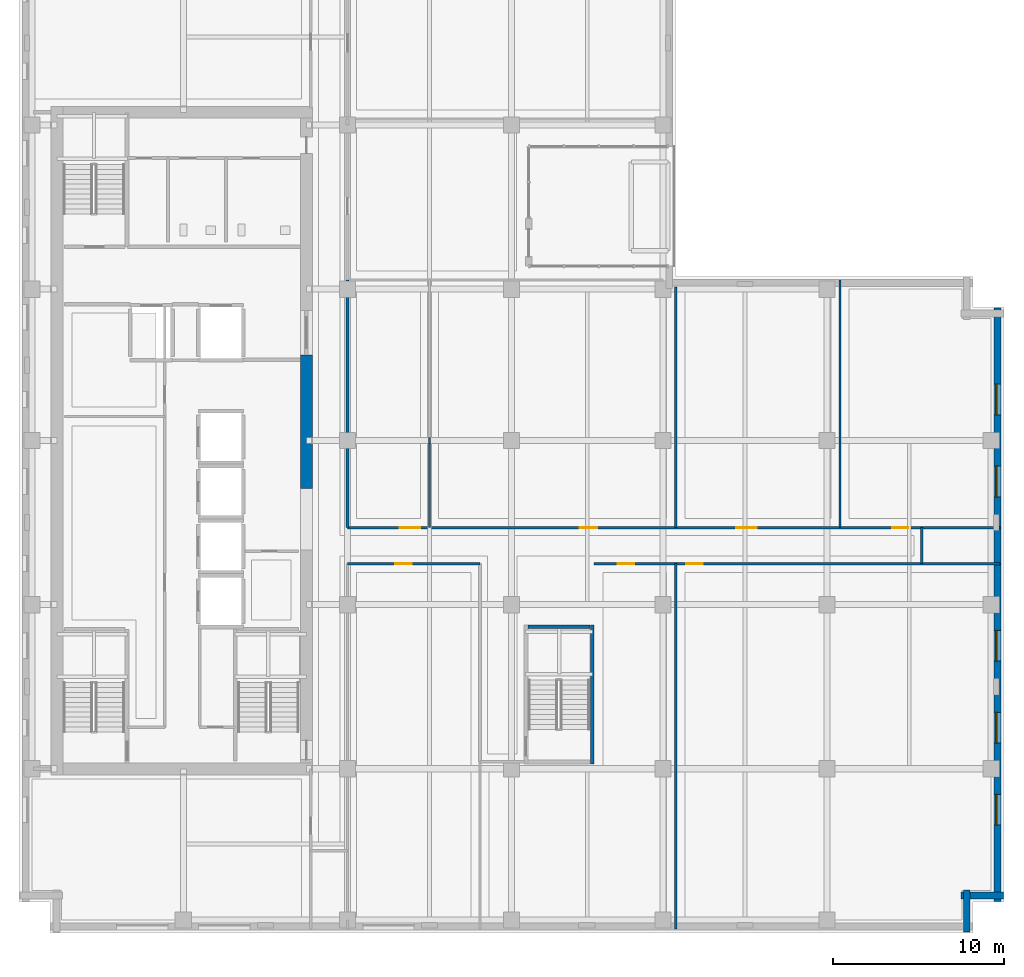
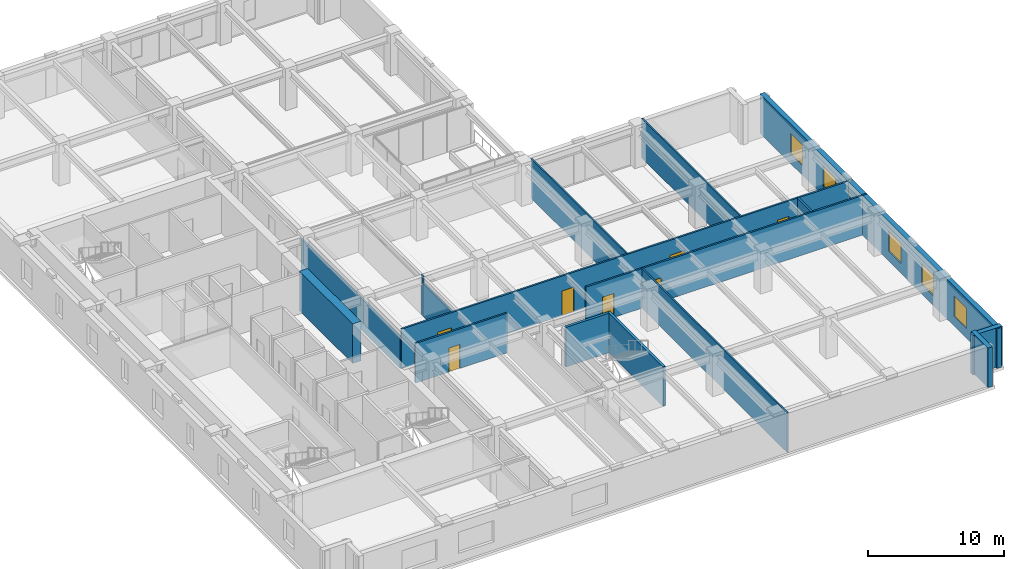
# One storey, part 5 of 16: 16 walls, 7 doors, 5 windows, 12 openings.
"""IFC4 building model written with IfcOpenShell, lengths in metres."""

from ifc_helpers import new_model, si_unit, direction, frame, frame_2d, origin, place, context, subcontext, project, spatial, rectangle, extrude, material, layer, layer_set, type_object, element, fill, save


model = new_model("IFC4")

# Units and contexts
model_context = context("Model", 3, precision=1e-05, world=origin(), true_north=direction((0.0, 1.0)))
body_context = subcontext(model_context, "Body", "Model", "MODEL_VIEW")
ifc_project = project(units=[si_unit("LENGTHUNIT", "METRE"), si_unit("AREAUNIT", "SQUARE_METRE"), si_unit("VOLUMEUNIT", "CUBIC_METRE"), si_unit("PLANEANGLEUNIT", "RADIAN"), si_unit("MASSUNIT", "GRAM", prefix="KILO")], contexts=[model_context])

# Site, building, storey
site_placement = place(None, origin())
site = spatial("IfcSite", under=ifc_project, at=site_placement, CompositionType="ELEMENT")
building_placement = place(site_placement, origin())
building = spatial("IfcBuilding", under=site, at=building_placement, Name="Norrvale University Quadrangle", CompositionType="ELEMENT")
storey_placement = place(building_placement, frame((0.0, 0.0, 167.39990234375)))
storey = spatial("IfcBuildingStorey", under=building, at=storey_placement, Name="L42", CompositionType="ELEMENT", Elevation=167.39990234375)

# Walls
ifc_material_1 = material(Name="Concrete C60/75", Category="concrete")
ifc_layer_1 = layer(ifc_material_1, 0.699951171875, Name="Concrete C60/75")
ifc_layer_set_1 = layer_set([ifc_layer_1], Name="Concrete C60/75")
wall_type_1 = type_object("IfcWallType", Name="Wall Core 700", PredefinedType="SHEAR", material=ifc_layer_set_1)
wall_1_placement = place(storey_placement, frame((16.800048828125, 26.0, 0.0), z_axis=(0.0, 0.0, 1.0), x_axis=(0.0, 1.0, 0.0)))
element("IfcWall", 1, at=wall_1_placement, inside=storey, type_object=wall_type_1, Name="Tower Core Shear Wall L42-E2", PredefinedType="SHEAR", context=body_context, shape_type="SweptSolid", body=[
    extrude(rectangle(XDim=7.800048828125, YDim=0.699951171875, at=frame_2d((3.89990234375, 0.0))), origin(), (0.0, 0.0, 1.0), 3.5400390625),
])
ifc_material_2 = material(Name="Standard Academic Gypsum Partition")
ifc_layer_2 = layer(ifc_material_2, 0.125, Name="Standard Academic Gypsum Partition")
ifc_layer_set_2 = layer_set([ifc_layer_2], Name="Standard Academic Gypsum Partition")
wall_type_2 = type_object("IfcWallType", Name="Wall Gypsum Academic 125", PredefinedType="PARTITIONING", material=ifc_layer_set_2)
wall_2_placement = place(storey_placement, frame((38.39990234375, 0.219970703125, 0.0), z_axis=(0.0, 0.0, 1.0), x_axis=(0.0, 1.0, 0.0)))
element("IfcWall", 2, at=wall_2_placement, inside=storey, type_object=wall_type_2, Name="Interior Partition WL-L42-SEP2", PredefinedType="PARTITIONING", context=body_context, shape_type="SweptSolid", body=[
    extrude(rectangle(XDim=21.380126953125, YDim=0.125, at=frame_2d((10.68994140625, 0.0))), origin(), (0.0, 0.0, 1.0), 3.5400390625),
])
wall_3_placement = place(storey_placement, frame((24.0, 23.699951171875, 0.0), z_axis=(0.0, 0.0, 1.0), x_axis=(0.0, 1.0, 0.0)))
element("IfcWall", 3, at=wall_3_placement, inside=storey, type_object=wall_type_2, Name="Interior Partition WL-L42-MEP01", PredefinedType="PARTITIONING", context=body_context, shape_type="SweptSolid", body=[
    extrude(rectangle(XDim=4.922607421875, YDim=0.125, at=frame_2d((2.46142578125, 0.0))), origin(), (0.0, 0.0, 1.0), 2.99609375),
])
wall_4_placement = place(storey_placement, frame((24.0, 28.62255859375, 0.0), z_axis=(0.0, 0.0, 1.0), x_axis=(0.0, 1.0, 0.0)))
element("IfcWall", 4, at=wall_4_placement, inside=storey, type_object=wall_type_2, Name="Interior Partition WL-L42-MEP01-B2", PredefinedType="PARTITIONING", context=body_context, shape_type="SweptSolid", body=[
    extrude(rectangle(XDim=0.35498046875, YDim=0.125, at=frame_2d((0.177490234375, 0.0))), origin(), (0.0, 0.0, 1.0), 3.5400390625),
])
wall_5_placement = place(storey_placement, frame((38.39990234375, 23.699951171875, 0.0), z_axis=(0.0, 0.0, 1.0), x_axis=(0.0, 1.0, 0.0)))
element("IfcWall", 5, at=wall_5_placement, inside=storey, type_object=wall_type_2, Name="Interior Partition WL-L42-MEP02", PredefinedType="PARTITIONING", context=body_context, shape_type="SweptSolid", body=[
    extrude(rectangle(XDim=14.090087890625, YDim=0.125, at=frame_2d((7.044921875, 0.0))), origin(), (0.0, 0.0, 1.0), 3.5400390625),
])
wall_6_placement = place(storey_placement, frame((48.0, 23.699951171875, 0.0), z_axis=(0.0, 0.0, 1.0), x_axis=(0.0, 1.0, 0.0)))
element("IfcWall", 6, at=wall_6_placement, inside=storey, type_object=wall_type_2, Name="Interior Partition WL-L42-MEP03", PredefinedType="PARTITIONING", context=body_context, shape_type="SweptSolid", body=[
    extrude(rectangle(XDim=14.47998046875, YDim=0.125, at=frame_2d((7.239990234375, 0.0))), origin(), (0.0, 0.0, 1.0), 3.5400390625),
])
ifc_material_3 = material(Name="Fire-Rated Gypsum Stud Partition")
ifc_layer_3 = layer(ifc_material_3, 0.14990234375, Name="Fire-Rated Gypsum Stud Partition")
ifc_layer_set_3 = layer_set([ifc_layer_3], Name="Fire-Rated Gypsum Stud Partition")
wall_type_3 = type_object("IfcWallType", Name="Wall Gypsum Corridor 150", PredefinedType="PARTITIONING", material=ifc_layer_set_3)
wall_7_placement = place(storey_placement, frame((52.800048828125, 21.60009765625, 0.0), z_axis=(0.0, 0.0, 1.0), x_axis=(0.0, 1.0, 0.0)))
element("IfcWall", 7, at=wall_7_placement, inside=storey, type_object=wall_type_3, Name="Interior Partition WL-L42-CESP-E", PredefinedType="PARTITIONING", context=body_context, shape_type="SweptSolid", body=[
    extrude(rectangle(XDim=2.099853515625, YDim=0.14990234375, at=frame_2d((1.0498046875, 0.0))), origin(), (0.0, 0.0, 1.0), 3.5400390625),
])

# Wall, opening, door
wall_8_placement = place(storey_placement, frame((19.199951171875, 21.60009765625, 0.0), z_axis=(0.0, 0.0, 1.0), x_axis=(1.0, 0.0, 0.0)))
wall_8 = element("IfcWall", 8, at=wall_8_placement, inside=storey, type_object=wall_type_3, Name="Interior Partition WL-L42-SEW1", PredefinedType="PARTITIONING", context=body_context, shape_type="SweptSolid", body=[
    extrude(rectangle(XDim=7.75, YDim=0.14990234375, at=frame_2d((3.875, 0.0))), origin(), (0.0, 0.0, 1.0), 3.5400390625),
])
opening_1_placement = place(wall_8_placement, frame((2.800048828125, 0.0, 0.0)))
opening_1 = element("IfcOpeningElement", 9, at=opening_1_placement, cuts=wall_8, Name="Opening D07", PredefinedType="OPENING", context=body_context, shape_type="SweptSolid", body=[
    extrude(rectangle(XDim=0.949951171875, YDim=2.14990234375, at=frame_2d((0.47509765625, 1.074951171875))), frame((0.0, 0.0869140625, 0.0), z_axis=(0.0, -1.0, 0.0), x_axis=(1.0, 0.0, 0.0)), (0.0, 0.0, 1.0), 0.173828125),
])
ifc_material_4 = material(Name="Solid-Core Maple Door", Category="wood")
door_type_1 = type_object("IfcDoorType", Name="Door Office 950x2150", OperationType="NOTDEFINED", PredefinedType="DOOR", material=ifc_material_4)
door_1_placement = place(opening_1_placement, origin())
door_1 = element("IfcDoor", 10, at=door_1_placement, inside=storey, type_object=door_type_1, Name="Door Office 950x2150 DR-L42-SE1", OperationType="SINGLE_SWING_LEFT", OverallHeight=2.14990234375, OverallWidth=0.949951171875, PredefinedType="DOOR", context=body_context, shape_type="SweptSolid", body=[
    extrude(rectangle(XDim=0.949951171875, YDim=2.14990234375, at=frame_2d((0.47509765625, 1.074951171875))), frame((0.0, 0.02490234375, 0.0), z_axis=(0.0, -1.0, 0.0), x_axis=(1.0, 0.0, 0.0)), (0.0, 0.0, 1.0), 0.050048828125),
])
fill(opening_1, door_1)

# Wall, openings, doors
wall_9_placement = place(storey_placement, frame((33.6201171875, 21.60009765625, 0.0), z_axis=(0.0, 0.0, 1.0), x_axis=(1.0, 0.0, 0.0)))
wall_9 = element("IfcWall", 11, at=wall_9_placement, inside=storey, type_object=wall_type_3, Name="Interior Partition WL-L42-SEW2", PredefinedType="PARTITIONING", context=body_context, shape_type="SweptSolid", body=[
    extrude(rectangle(XDim=23.759765625, YDim=0.14990234375, at=frame_2d((11.8798828125, 0.0))), origin(), (0.0, 0.0, 1.0), 3.5400390625),
])
opening_2_placement = place(wall_9_placement, frame((1.39990234375, 0.0, 0.0)))
opening_2 = element("IfcOpeningElement", 12, at=opening_2_placement, cuts=wall_9, Name="Opening D07", PredefinedType="OPENING", context=body_context, shape_type="SweptSolid", body=[
    extrude(rectangle(XDim=0.949951171875, YDim=2.14990234375, at=frame_2d((0.47509765625, 1.074951171875))), frame((0.0, 0.0869140625, 0.0), z_axis=(0.0, -1.0, 0.0), x_axis=(1.0, 0.0, 0.0)), (0.0, 0.0, 1.0), 0.173828125),
])
opening_3_placement = place(wall_9_placement, frame((5.39990234375, 0.0, 0.0)))
opening_3 = element("IfcOpeningElement", 13, at=opening_3_placement, cuts=wall_9, Name="Opening D07", PredefinedType="OPENING", context=body_context, shape_type="SweptSolid", body=[
    extrude(rectangle(XDim=0.949951171875, YDim=2.14990234375, at=frame_2d((0.47509765625, 1.074951171875))), frame((0.0, 0.0869140625, 0.0), z_axis=(0.0, -1.0, 0.0), x_axis=(1.0, 0.0, 0.0)), (0.0, 0.0, 1.0), 0.173828125),
])
door_2_placement = place(opening_2_placement, origin())
door_2 = element("IfcDoor", 14, at=door_2_placement, inside=storey, type_object=door_type_1, Name="Door Office 950x2150 DR-L42-SE2", OperationType="SINGLE_SWING_RIGHT", OverallHeight=2.14990234375, OverallWidth=0.949951171875, PredefinedType="DOOR", context=body_context, shape_type="SweptSolid", body=[
    extrude(rectangle(XDim=0.949951171875, YDim=2.14990234375, at=frame_2d((0.47509765625, 1.074951171875))), frame((0.0, 0.02490234375, 0.0), z_axis=(0.0, -1.0, 0.0), x_axis=(1.0, 0.0, 0.0)), (0.0, 0.0, 1.0), 0.050048828125),
])
fill(opening_2, door_2)
door_3_placement = place(opening_3_placement, origin())
door_3 = element("IfcDoor", 15, at=door_3_placement, inside=storey, type_object=door_type_1, Name="Door Office 950x2150 DR-L42-SE3", OperationType="SINGLE_SWING_LEFT", OverallHeight=2.14990234375, OverallWidth=0.949951171875, PredefinedType="DOOR", context=body_context, shape_type="SweptSolid", body=[
    extrude(rectangle(XDim=0.949951171875, YDim=2.14990234375, at=frame_2d((0.47509765625, 1.074951171875))), frame((0.0, 0.02490234375, 0.0), z_axis=(0.0, -1.0, 0.0), x_axis=(1.0, 0.0, 0.0)), (0.0, 0.0, 1.0), 0.050048828125),
])
fill(opening_3, door_3)

wall_10_placement = place(storey_placement, frame((19.199951171875, 23.699951171875, 0.0), z_axis=(0.0, 0.0, 1.0), x_axis=(1.0, 0.0, 0.0)))
wall_10 = element("IfcWall", 16, at=wall_10_placement, inside=storey, type_object=wall_type_3, Name="Interior Partition WL-L42-MECW", PredefinedType="PARTITIONING", context=body_context, shape_type="SweptSolid", body=[
    extrude(rectangle(XDim=38.179931640625, YDim=0.14990234375, at=frame_2d((19.08984375, 0.0))), origin(), (0.0, 0.0, 1.0), 3.5400390625),
])
opening_4_placement = place(wall_10_placement, frame((3.050048828125, 0.0, 0.0)))
opening_4 = element("IfcOpeningElement", 17, at=opening_4_placement, cuts=wall_10, Name="Opening D05", PredefinedType="OPENING", context=body_context, shape_type="SweptSolid", body=[
    extrude(rectangle(XDim=1.199951171875, YDim=2.199951171875, at=frame_2d((0.60009765625, 1.10009765625))), frame((0.0, 0.0869140625, 0.0), z_axis=(0.0, -1.0, 0.0), x_axis=(1.0, 0.0, 0.0)), (0.0, 0.0, 1.0), 0.173828125),
])
opening_5_placement = place(wall_10_placement, frame((13.60009765625, 0.0, 0.0)))
opening_5 = element("IfcOpeningElement", 18, at=opening_5_placement, cuts=wall_10, Name="Opening D04", PredefinedType="OPENING", context=body_context, shape_type="SweptSolid", body=[
    extrude(rectangle(XDim=1.0, YDim=2.199951171875, at=frame_2d((0.5, 1.10009765625))), frame((0.0, 0.0869140625, 0.0), z_axis=(0.0, -1.0, 0.0), x_axis=(1.0, 0.0, 0.0)), (0.0, 0.0, 1.0), 0.173828125),
])
opening_6_placement = place(wall_10_placement, frame((22.75, 0.0, 0.0)))
opening_6 = element("IfcOpeningElement", 19, at=opening_6_placement, cuts=wall_10, Name="Opening D05", PredefinedType="OPENING", context=body_context, shape_type="SweptSolid", body=[
    extrude(rectangle(XDim=1.199951171875, YDim=2.199951171875, at=frame_2d((0.60009765625, 1.10009765625))), frame((0.0, 0.0869140625, 0.0), z_axis=(0.0, -1.0, 0.0), x_axis=(1.0, 0.0, 0.0)), (0.0, 0.0, 1.0), 0.173828125),
])
opening_7_placement = place(wall_10_placement, frame((31.85009765625, 0.0, 0.0)))
opening_7 = element("IfcOpeningElement", 20, at=opening_7_placement, cuts=wall_10, Name="Opening D07", PredefinedType="OPENING", context=body_context, shape_type="SweptSolid", body=[
    extrude(rectangle(XDim=0.949951171875, YDim=2.14990234375, at=frame_2d((0.47509765625, 1.074951171875))), frame((0.0, 0.0869140625, 0.0), z_axis=(0.0, -1.0, 0.0), x_axis=(1.0, 0.0, 0.0)), (0.0, 0.0, 1.0), 0.173828125),
])
ifc_material_5 = material(Name="Acoustic Oak Classroom Door", Category="wood")
door_type_2 = type_object("IfcDoorType", Name="Door Classroom 1200x2200", OperationType="NOTDEFINED", PredefinedType="DOOR", material=ifc_material_5)
door_4_placement = place(opening_4_placement, origin())
door_4 = element("IfcDoor", 21, at=door_4_placement, inside=storey, type_object=door_type_2, Name="Door Classroom 1200x2200 DR-L42-ME01", OperationType="SINGLE_SWING_LEFT", OverallHeight=2.199951171875, OverallWidth=1.199951171875, PredefinedType="DOOR", context=body_context, shape_type="SweptSolid", body=[
    extrude(rectangle(XDim=1.199951171875, YDim=2.199951171875, at=frame_2d((0.60009765625, 1.10009765625))), frame((0.0, 0.02490234375, 0.0), z_axis=(0.0, -1.0, 0.0), x_axis=(1.0, 0.0, 0.0)), (0.0, 0.0, 1.0), 0.050048828125),
])
fill(opening_4, door_4)
door_5_placement = place(opening_6_placement, origin())
door_5 = element("IfcDoor", 22, at=door_5_placement, inside=storey, type_object=door_type_2, Name="Door Classroom 1200x2200 DR-L42-ME03", OperationType="SINGLE_SWING_LEFT", OverallHeight=2.199951171875, OverallWidth=1.199951171875, PredefinedType="DOOR", context=body_context, shape_type="SweptSolid", body=[
    extrude(rectangle(XDim=1.199951171875, YDim=2.199951171875, at=frame_2d((0.60009765625, 1.10009765625))), frame((0.0, 0.02490234375, 0.0), z_axis=(0.0, -1.0, 0.0), x_axis=(1.0, 0.0, 0.0)), (0.0, 0.0, 1.0), 0.050048828125),
])
fill(opening_6, door_5)
ifc_material_6 = material(Name="Solid-Core Oak Fire Door", Category="wood")
door_type_3 = type_object("IfcDoorType", Name="Door Corridor 1000x2200", OperationType="NOTDEFINED", PredefinedType="DOOR", material=ifc_material_6)
door_6_placement = place(opening_5_placement, origin())
door_6 = element("IfcDoor", 23, at=door_6_placement, inside=storey, type_object=door_type_3, Name="Door Corridor 1000x2200 DR-L42-ME02", OperationType="SINGLE_SWING_RIGHT", OverallHeight=2.199951171875, OverallWidth=1.0, PredefinedType="DOOR", context=body_context, shape_type="SweptSolid", body=[
    extrude(rectangle(XDim=1.0, YDim=2.199951171875, at=frame_2d((0.5, 1.10009765625))), frame((0.0, 0.02490234375, 0.0), z_axis=(0.0, -1.0, 0.0), x_axis=(1.0, 0.0, 0.0)), (0.0, 0.0, 1.0), 0.050048828125),
])
fill(opening_5, door_6)
door_7_placement = place(opening_7_placement, origin())
door_7 = element("IfcDoor", 24, at=door_7_placement, inside=storey, type_object=door_type_1, Name="Door Office 950x2150 DR-L42-ME04", OperationType="SINGLE_SWING_RIGHT", OverallHeight=2.14990234375, OverallWidth=0.949951171875, PredefinedType="DOOR", context=body_context, shape_type="SweptSolid", body=[
    extrude(rectangle(XDim=0.949951171875, YDim=2.14990234375, at=frame_2d((0.47509765625, 1.074951171875))), frame((0.0, 0.02490234375, 0.0), z_axis=(0.0, -1.0, 0.0), x_axis=(1.0, 0.0, 0.0)), (0.0, 0.0, 1.0), 0.050048828125),
])
fill(opening_7, door_7)

# Walls
wall_11_placement = place(storey_placement, frame((19.199951171875, 23.699951171875, 0.0), z_axis=(0.0, 0.0, 1.0), x_axis=(0.0, 1.0, 0.0)))
element("IfcWall", 25, at=wall_11_placement, inside=storey, type_object=wall_type_3, Name="Interior Partition WL-L42-ME-W", PredefinedType="PARTITIONING", context=body_context, shape_type="SweptSolid", body=[
    extrude(rectangle(XDim=14.47998046875, YDim=0.14990234375, at=frame_2d((7.239990234375, 0.0))), origin(), (0.0, 0.0, 1.0), 2.84521484375),
])
ifc_material_7 = material(Name="Red Manganese Brick Masonry", Category="masonry")
ifc_layer_4 = layer(ifc_material_7, 0.39990234375, Name="Red Manganese Brick Masonry")
ifc_layer_set_4 = layer_set([ifc_layer_4], Name="Red Manganese Brick Masonry")
wall_type_4 = type_object("IfcWallType", Name="Wall Red Brick 400", PredefinedType="SOLIDWALL", material=ifc_layer_set_4)
for number, where, z_axis, x_axis, name in (
    (26, (55.419921875, 0.0400390625, 0.0), (0.0, 0.0, 1.0), (0.0, 1.0, 0.0), "Exterior Brick Facade Wall L42-02.1"),
    (27, (55.080078125, 2.179931640625, 0.0), (0.0, 0.0, 1.0), (1.0, 0.0, 0.0), "Exterior Brick Facade Wall L42-03.1"),
):
    element("IfcWall", number, at=place(storey_placement, frame(where, z_axis=z_axis, x_axis=x_axis)), inside=storey, type_object=wall_type_4, Name=name, PredefinedType="SOLIDWALL", context=body_context, shape_type="SweptSolid", body=[
        extrude(rectangle(XDim=2.47998046875, YDim=0.39990234375, at=frame_2d((1.239990234375, 0.0))), origin(), (0.0, 0.0, 1.0), 3.5400390625),
    ])

# Wall, openings, windows
wall_12_placement = place(storey_placement, frame((57.219970703125, 1.840087890625, 0.0), z_axis=(0.0, 0.0, 1.0), x_axis=(0.0, 1.0, 0.0)))
wall_12 = element("IfcWall", 28, at=wall_12_placement, inside=storey, type_object=wall_type_4, Name="Exterior Brick Facade Wall L42-04.1", PredefinedType="SOLIDWALL", context=body_context, shape_type="SweptSolid", body=[
    extrude(rectangle(XDim=34.719970703125, YDim=0.39990234375, at=frame_2d((17.35986328125, 0.0))), origin(), (0.0, 0.0, 1.0), 3.5400390625),
])
opening_8_placement = place(wall_12_placement, frame((4.4599609375, 0.0, 0.85009765625)))
opening_8 = element("IfcOpeningElement", 29, at=opening_8_placement, cuts=wall_12, Name="Opening W01", PredefinedType="OPENING", context=body_context, shape_type="SweptSolid", body=[
    extrude(rectangle(XDim=1.800048828125, YDim=1.85009765625, at=frame_2d((0.89990234375, 0.925048828125))), frame((0.0, 0.2119140625, 0.0), z_axis=(0.0, -1.0, 0.0), x_axis=(1.0, 0.0, 0.0)), (0.0, 0.0, 1.0), 0.423828125),
])
opening_9_placement = place(wall_12_placement, frame((9.260009765625, 0.0, 0.85009765625)))
opening_9 = element("IfcOpeningElement", 30, at=opening_9_placement, cuts=wall_12, Name="Opening W01", PredefinedType="OPENING", context=body_context, shape_type="SweptSolid", body=[
    extrude(rectangle(XDim=1.800048828125, YDim=1.85009765625, at=frame_2d((0.89990234375, 0.925048828125))), frame((0.0, 0.2119140625, 0.0), z_axis=(0.0, -1.0, 0.0), x_axis=(1.0, 0.0, 0.0)), (0.0, 0.0, 1.0), 0.423828125),
])
opening_10_placement = place(wall_12_placement, frame((14.06005859375, 0.0, 0.85009765625)))
opening_10 = element("IfcOpeningElement", 31, at=opening_10_placement, cuts=wall_12, Name="Opening W01", PredefinedType="OPENING", context=body_context, shape_type="SweptSolid", body=[
    extrude(rectangle(XDim=1.800048828125, YDim=1.85009765625, at=frame_2d((0.89990234375, 0.925048828125))), frame((0.0, 0.2119140625, 0.0), z_axis=(0.0, -1.0, 0.0), x_axis=(1.0, 0.0, 0.0)), (0.0, 0.0, 1.0), 0.423828125),
])
opening_11_placement = place(wall_12_placement, frame((23.659912109375, 0.0, 0.85009765625)))
opening_11 = element("IfcOpeningElement", 32, at=opening_11_placement, cuts=wall_12, Name="Opening W01", PredefinedType="OPENING", context=body_context, shape_type="SweptSolid", body=[
    extrude(rectangle(XDim=1.800048828125, YDim=1.85009765625, at=frame_2d((0.89990234375, 0.925048828125))), frame((0.0, 0.2119140625, 0.0), z_axis=(0.0, -1.0, 0.0), x_axis=(1.0, 0.0, 0.0)), (0.0, 0.0, 1.0), 0.423828125),
])
opening_12_placement = place(wall_12_placement, frame((28.4599609375, 0.0, 0.85009765625)))
opening_12 = element("IfcOpeningElement", 33, at=opening_12_placement, cuts=wall_12, Name="Opening W01", PredefinedType="OPENING", context=body_context, shape_type="SweptSolid", body=[
    extrude(rectangle(XDim=1.800048828125, YDim=1.85009765625, at=frame_2d((0.89990234375, 0.925048828125))), frame((0.0, 0.2119140625, 0.0), z_axis=(0.0, -1.0, 0.0), x_axis=(1.0, 0.0, 0.0)), (0.0, 0.0, 1.0), 0.423828125),
])
ifc_material_8 = material(Name="Triple Low-E Argon Glazing", Category="glass")
window_type = type_object("IfcWindowType", Name="Window Academic 1800x2300", PartitioningType="DOUBLE_PANEL_VERTICAL", PredefinedType="WINDOW", material=ifc_material_8)
window_1_placement = place(opening_8_placement, origin())
window_1 = element("IfcWindow", 34, at=window_1_placement, inside=storey, type_object=window_type, Name="Window Academic 1800x2300 WIN-L42-E04-1-01", OverallHeight=1.85009765625, OverallWidth=1.800048828125, PartitioningType="DOUBLE_PANEL_VERTICAL", PredefinedType="WINDOW", context=body_context, shape_type="SweptSolid", body=[
    extrude(rectangle(XDim=1.800048828125, YDim=1.85009765625, at=frame_2d((0.89990234375, 0.925048828125))), frame((0.0, 0.110107421875, 0.0), z_axis=(0.0, -1.0, 0.0), x_axis=(1.0, 0.0, 0.0)), (0.0, 0.0, 1.0), 0.06005859375),
])
fill(opening_8, window_1)
window_2_placement = place(opening_9_placement, origin())
window_2 = element("IfcWindow", 35, at=window_2_placement, inside=storey, type_object=window_type, Name="Window Academic 1800x2300 WIN-L42-E04-1-02", OverallHeight=1.85009765625, OverallWidth=1.800048828125, PartitioningType="DOUBLE_PANEL_VERTICAL", PredefinedType="WINDOW", context=body_context, shape_type="SweptSolid", body=[
    extrude(rectangle(XDim=1.800048828125, YDim=1.85009765625, at=frame_2d((0.89990234375, 0.925048828125))), frame((0.0, 0.110107421875, 0.0), z_axis=(0.0, -1.0, 0.0), x_axis=(1.0, 0.0, 0.0)), (0.0, 0.0, 1.0), 0.06005859375),
])
fill(opening_9, window_2)
window_3_placement = place(opening_10_placement, origin())
window_3 = element("IfcWindow", 36, at=window_3_placement, inside=storey, type_object=window_type, Name="Window Academic 1800x2300 WIN-L42-E04-1-03", OverallHeight=1.85009765625, OverallWidth=1.800048828125, PartitioningType="DOUBLE_PANEL_VERTICAL", PredefinedType="WINDOW", context=body_context, shape_type="SweptSolid", body=[
    extrude(rectangle(XDim=1.800048828125, YDim=1.85009765625, at=frame_2d((0.89990234375, 0.925048828125))), frame((0.0, 0.110107421875, 0.0), z_axis=(0.0, -1.0, 0.0), x_axis=(1.0, 0.0, 0.0)), (0.0, 0.0, 1.0), 0.06005859375),
])
fill(opening_10, window_3)
window_4_placement = place(opening_11_placement, origin())
window_4 = element("IfcWindow", 37, at=window_4_placement, inside=storey, type_object=window_type, Name="Window Academic 1800x2300 WIN-L42-E04-1-04", OverallHeight=1.85009765625, OverallWidth=1.800048828125, PartitioningType="DOUBLE_PANEL_VERTICAL", PredefinedType="WINDOW", context=body_context, shape_type="SweptSolid", body=[
    extrude(rectangle(XDim=1.800048828125, YDim=1.85009765625, at=frame_2d((0.89990234375, 0.925048828125))), frame((0.0, 0.110107421875, 0.0), z_axis=(0.0, -1.0, 0.0), x_axis=(1.0, 0.0, 0.0)), (0.0, 0.0, 1.0), 0.06005859375),
])
fill(opening_11, window_4)
window_5_placement = place(opening_12_placement, origin())
window_5 = element("IfcWindow", 38, at=window_5_placement, inside=storey, type_object=window_type, Name="Window Academic 1800x2300 WIN-L42-E04-1-05", OverallHeight=1.85009765625, OverallWidth=1.800048828125, PartitioningType="DOUBLE_PANEL_VERTICAL", PredefinedType="WINDOW", context=body_context, shape_type="SweptSolid", body=[
    extrude(rectangle(XDim=1.800048828125, YDim=1.85009765625, at=frame_2d((0.89990234375, 0.925048828125))), frame((0.0, 0.110107421875, 0.0), z_axis=(0.0, -1.0, 0.0), x_axis=(1.0, 0.0, 0.0)), (0.0, 0.0, 1.0), 0.06005859375),
])
fill(opening_12, window_5)

# Walls
ifc_material_9 = material(Name="Concrete Blockwork 20 MPa Fire Shaft", Category="masonry")
ifc_layer_5 = layer(ifc_material_9, 0.219970703125, Name="Concrete Blockwork 20 MPa Fire Shaft")
ifc_layer_set_5 = layer_set([ifc_layer_5], Name="Concrete Blockwork 20 MPa Fire Shaft")
wall_type_5 = type_object("IfcWallType", Name="Wall Shaft 220", PredefinedType="SOLIDWALL", material=ifc_layer_set_5)
wall_13_placement = place(storey_placement, frame((33.510009765625, 9.8798828125, 0.0), z_axis=(0.0, 0.0, 1.0), x_axis=(0.0, 1.0, 0.0)))
element("IfcWall", 39, at=wall_13_placement, inside=storey, type_object=wall_type_5, Name="Stair ST-04 East Shaft Wall L42", PredefinedType="SOLIDWALL", context=body_context, shape_type="SweptSolid", body=[
    extrude(rectangle(XDim=8.14013671875, YDim=0.219970703125, at=frame_2d((4.070068359375, 0.0))), origin(), (0.0, 0.0, 1.0), 3.5400390625),
])
wall_14_placement = place(storey_placement, frame((29.75, 17.909912109375, 0.0), z_axis=(0.0, 0.0, 1.0), x_axis=(1.0, 0.0, 0.0)))
element("IfcWall", 40, at=wall_14_placement, inside=storey, type_object=wall_type_5, Name="Stair ST-04 North Shaft Wall L42", PredefinedType="SOLIDWALL", context=body_context, shape_type="SweptSolid", body=[
    extrude(rectangle(XDim=3.64990234375, YDim=0.219970703125, at=frame_2d((1.824951171875, 0.0))), origin(), (0.0, 0.0, 1.0), 3.5400390625),
])

save(model, "model.ifc")
